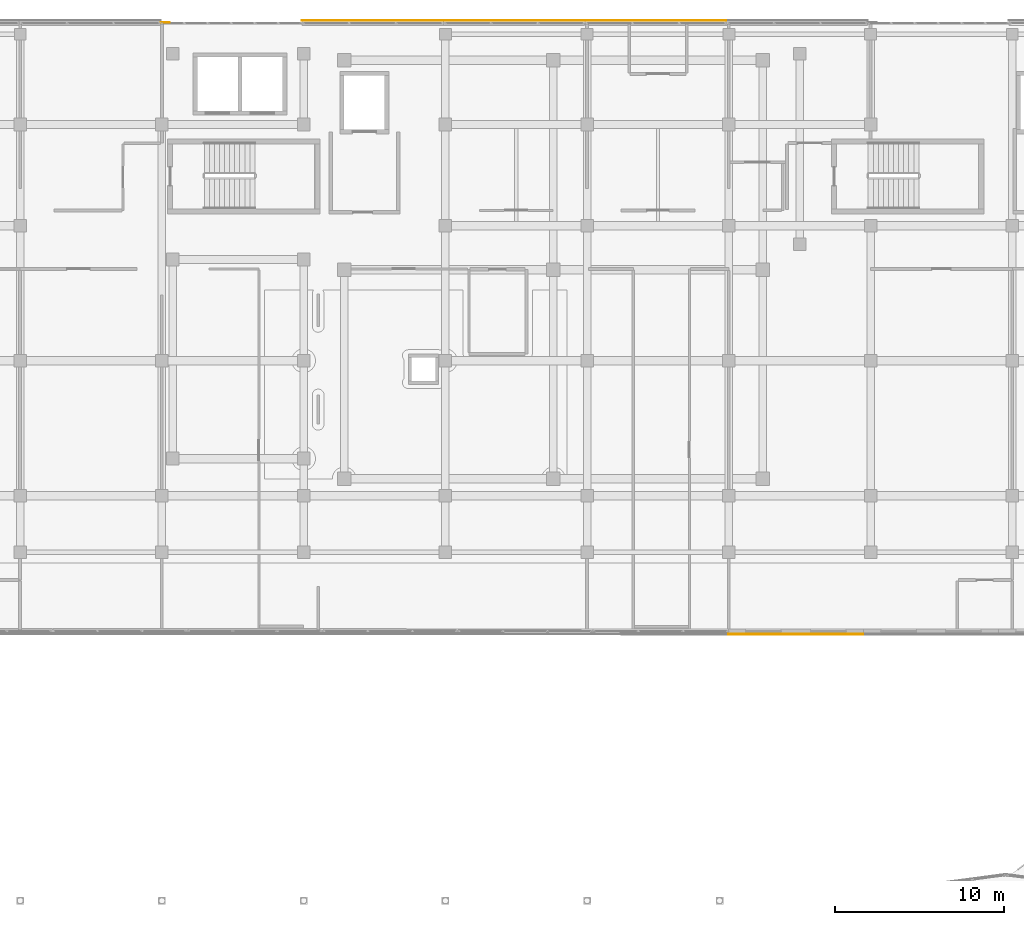
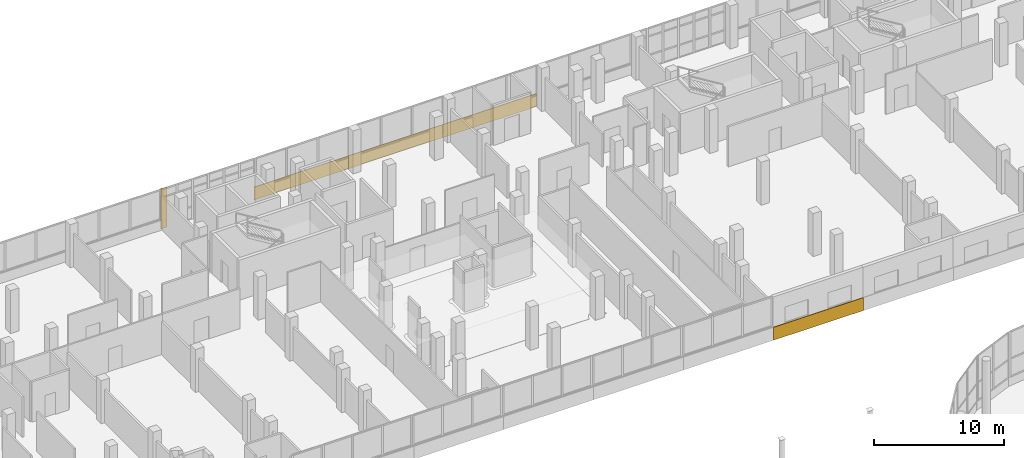
# One storey, part 97 of 101: 5 coverings.
"""IFC4 building model written with IfcOpenShell, lengths in metres."""

from ifc_helpers import new_model, si_unit, direction, frame, origin, origin_2d, place, context, subcontext, project, spatial, rectangle, extrude, material, layer, layer_set, type_object, element, save


model = new_model("IFC4")

# Units and contexts
model_context = context("Model", 3, precision=1e-05, world=origin(), true_north=direction((0.0, 1.0)))
body_context = subcontext(model_context, "Body", "Model", "MODEL_VIEW")
ifc_project = project(units=[si_unit("LENGTHUNIT", "METRE"), si_unit("AREAUNIT", "SQUARE_METRE"), si_unit("VOLUMEUNIT", "CUBIC_METRE"), si_unit("PLANEANGLEUNIT", "RADIAN"), si_unit("MASSUNIT", "GRAM", prefix="KILO")], contexts=[model_context])

# Site, building, storey
site_placement = place(None, origin())
site = spatial("IfcSite", under=ifc_project, at=site_placement, CompositionType="ELEMENT")
building_placement = place(site_placement, origin())
building = spatial("IfcBuilding", under=site, at=building_placement, Name="Selatvlak General Hospital", CompositionType="ELEMENT")
storey_placement = place(building_placement, frame((0.0, 0.0, 19.199951171875)))
storey = spatial("IfcBuildingStorey", under=building, at=storey_placement, Name="L04", CompositionType="ELEMENT", Elevation=19.199951171875)

# Coverings
ifc_material = material(Name="White Bauhaus fair-faced cladding panel")
ifc_layer = layer(ifc_material, 0.054931640625, Name="White Bauhaus fair-faced cladding panel")
ifc_layer_set = layer_set([ifc_layer], Name="White Bauhaus fair-faced cladding panel")
covering_type = type_object("IfcCoveringType", Name="COV-WHT1", PredefinedType="CLADDING", material=ifc_layer_set)
covering_1_placement = place(storey_placement, frame((48.195068359375, 120.0439453125, 0.0), z_axis=(0.0, 0.0, 1.0), x_axis=(1.0, 0.0, 0.0)))
element("IfcCovering", 1, at=covering_1_placement, inside=storey, type_object=covering_type, Name="L04 Bauhaus vertical core pilaster 0303", PredefinedType="CLADDING", context=body_context, shape_type="SweptSolid", body=[
    extrude(rectangle(XDim=0.550048828125, YDim=0.054931640625, at=origin_2d()), origin(), (0.0, 0.0, 1.0), 3.77001953125),
])
for number, where, z_axis, x_axis, name in (
    (2, (60.489990234375, 120.1640625, -0.27978515625), (0.0, 0.0, 1.0), (1.0, 0.0, 0.0), "L04 Bauhaus horizontal white spandrel band 0304"),
    (3, (68.8701171875, 120.1640625, -0.27978515625), (0.0, 0.0, 1.0), (1.0, 0.0, 0.0), "L04 Bauhaus horizontal white spandrel band 0305"),
    (4, (77.25, 120.1640625, -0.27978515625), (0.0, 0.0, 1.0), (1.0, 0.0, 0.0), "L04 Bauhaus horizontal white spandrel band 0306"),
):
    element("IfcCovering", number, at=place(storey_placement, frame(where, z_axis=z_axis, x_axis=x_axis)), inside=storey, type_object=covering_type, Name=name, PredefinedType="CLADDING", context=body_context, shape_type="SweptSolid", body=[
        extrude(rectangle(XDim=8.3798828125, YDim=0.054931640625, at=origin_2d()), origin(), (0.0, 0.0, 1.0), 1.219970703125),
    ])
covering_2_placement = place(storey_placement, frame((85.572021484375, 83.7939453125, -0.27978515625), z_axis=(0.0, 0.0, 1.0), x_axis=(-0.999999802608, 0.000628318489, 0.0)))
element("IfcCovering", 5, at=covering_2_placement, inside=storey, type_object=covering_type, Name="L04 Bauhaus horizontal white spandrel band 0339", PredefinedType="CLADDING", context=body_context, shape_type="SweptSolid", body=[
    extrude(rectangle(XDim=8.008056640625, YDim=0.054931640625, at=origin_2d()), origin(), (0.0, 0.0, 1.0), 1.219970703125),
])

save(model, "model.ifc")
